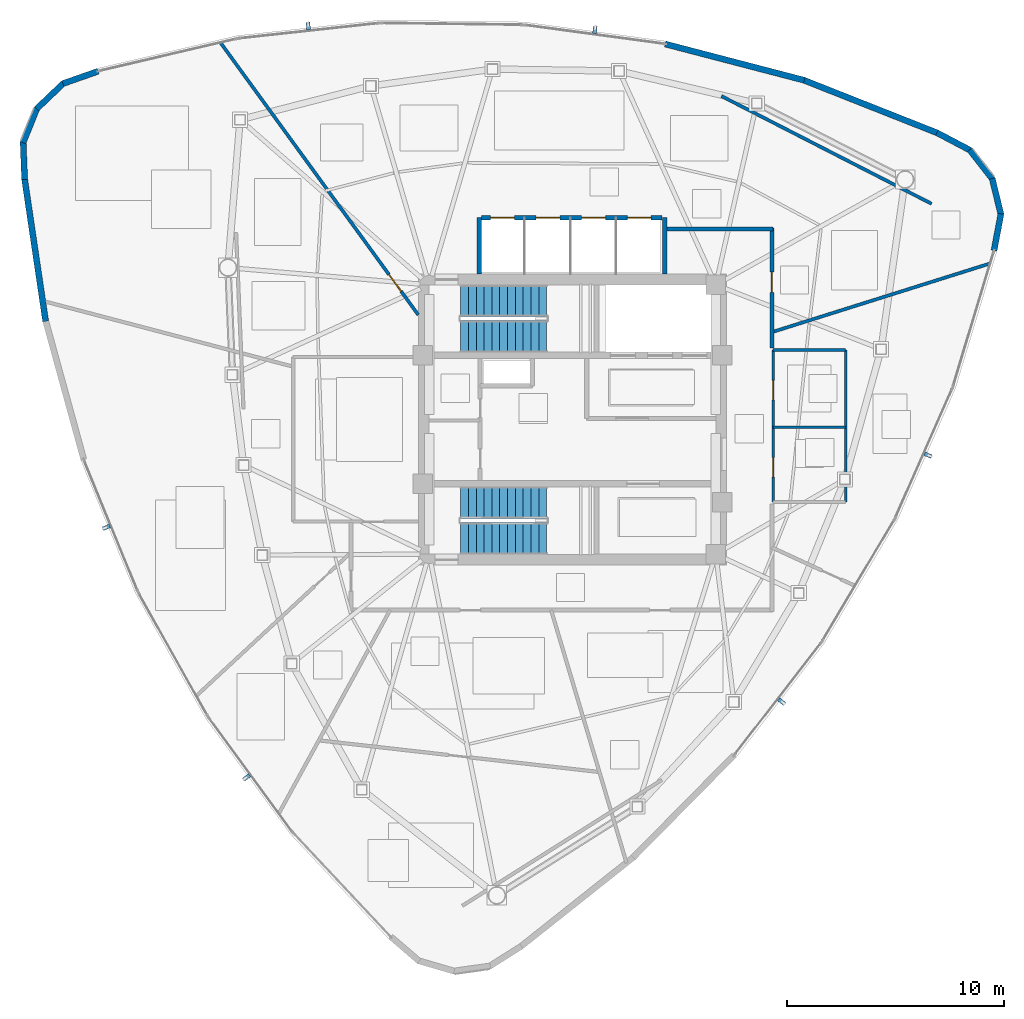
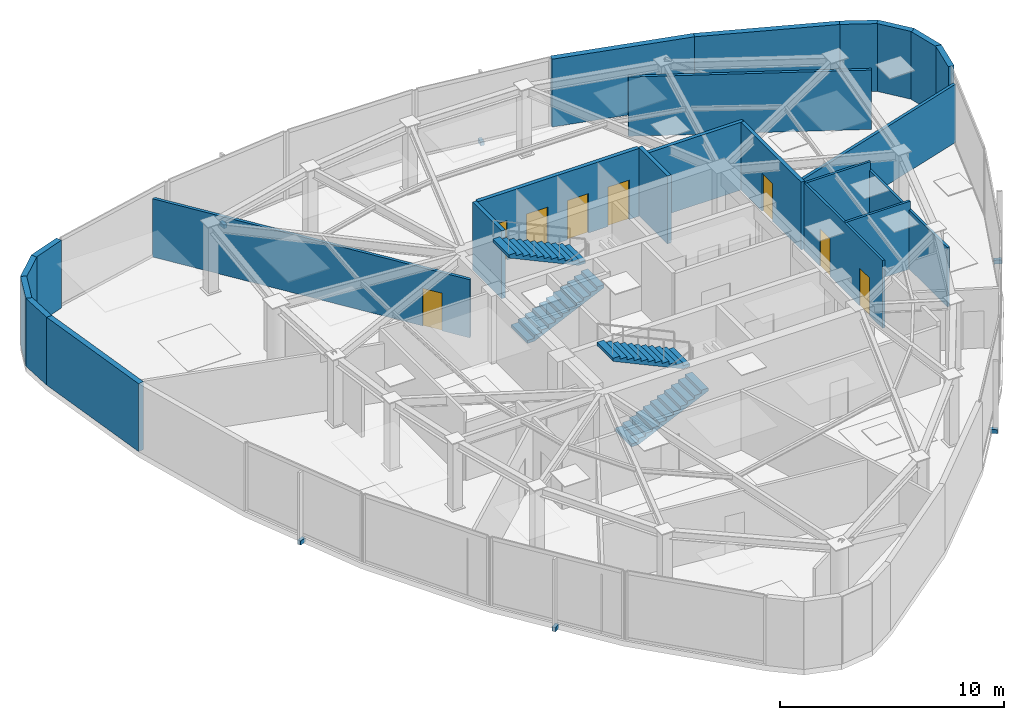
# One storey, part 9 of 12: 23 walls, 8 doors, 6 discrete accessories, 4 stair flights, 8 openings, 2 elements without a shape of their own.
"""IFC4 building model written with IfcOpenShell, lengths in metres."""

from ifc_helpers import new_model, si_unit, direction, frame, frame_2d, origin, origin_2d, place, context, subcontext, project, spatial, polyline, rectangle, outline, extrude, source, transform, mapped, material, layer, layer_set, type_object, type_shapes, element, fill, aggregate, save


model = new_model("IFC4")

# Units and contexts
model_context = context("Model", 3, precision=1e-05, world=origin(), true_north=direction((0.0, 1.0)))
body_context = subcontext(model_context, "Body", "Model", "MODEL_VIEW")
ifc_project = project(units=[si_unit("LENGTHUNIT", "METRE"), si_unit("AREAUNIT", "SQUARE_METRE"), si_unit("VOLUMEUNIT", "CUBIC_METRE"), si_unit("PLANEANGLEUNIT", "RADIAN"), si_unit("MASSUNIT", "GRAM", prefix="KILO")], contexts=[model_context])

# Site, building, storey
site_placement = place(None, origin())
site = spatial("IfcSite", under=ifc_project, at=site_placement, CompositionType="ELEMENT")
building_placement = place(site_placement, origin())
building = spatial("IfcBuilding", under=site, at=building_placement, Name="Tavelor Broadcast Tower", CompositionType="ELEMENT")
storey_placement = place(building_placement, frame((0.0, 0.0, 277.5)))
storey = spatial("IfcBuildingStorey", under=building, at=storey_placement, Name="L66", CompositionType="ELEMENT", Elevation=277.5)

# Wall
ifc_material_1 = material(Name="Calcium Silicate Fire Board 180 mm", Category="gypsum")
ifc_layer_1 = layer(ifc_material_1, 0.179931640625)
ifc_layer_set_1 = layer_set([ifc_layer_1], Name="Calcium Silicate Fire Board 180 mm")
wall_type_1 = type_object("IfcWallType", Name="Fire-Rated Corridor Partition Wall 180 mm", PredefinedType="PARTITIONING", material=ifc_layer_set_1)
wall_1_placement = place(storey_placement, frame((54.300048828125, 53.780029296875, 0.0), z_axis=(0.0, 0.0, 1.0), x_axis=(1.0, 0.0, 0.0)))
element("IfcWall", 1, at=wall_1_placement, inside=storey, type_object=wall_type_1, Name="L66 Corridor Compartment Wall 01", PredefinedType="PARTITIONING", context=body_context, shape_type="SweptSolid", body=[
    extrude(rectangle(XDim=4.929931640625, YDim=0.179931640625, at=frame_2d((2.46484375, 0.0))), origin(), (0.0, 0.0, 1.0), 3.699951171875),
])

# Wall, opening, door
wall_2_placement = place(storey_placement, frame((59.179931640625, 53.830078125, 0.0), z_axis=(0.0, 0.0, 1.0), x_axis=(0.0, -1.0, 0.0)))
wall_2 = element("IfcWall", 2, at=wall_2_placement, inside=storey, type_object=wall_type_1, Name="L66 Corridor Compartment Wall 02", PredefinedType="PARTITIONING", context=body_context, shape_type="SweptSolid", body=[
    extrude(rectangle(XDim=5.530029296875, YDim=0.179931640625, at=frame_2d((2.76513671875, 0.0))), origin(), (0.0, 0.0, 1.0), 3.699951171875),
])
opening_1_placement = place(wall_2_placement, frame((2.027587890625, 0.0, 0.0)))
opening_1 = element("IfcOpeningElement", 3, at=opening_1_placement, cuts=wall_2, Name="Opening DR18", PredefinedType="OPENING", context=body_context, shape_type="SweptSolid", body=[
    extrude(rectangle(XDim=0.949951171875, YDim=2.050048828125, at=frame_2d((0.47509765625, 1.02490234375))), frame((0.0, 0.10009765625, 0.0), z_axis=(0.0, -1.0, 0.0), x_axis=(1.0, 0.0, 0.0)), (0.0, 0.0, 1.0), 0.199951171875),
])
ifc_material_2 = material(Name="Timber Solid Core Hardwood", Category="wood")
door_type_1 = type_object("IfcDoorType", Name="Corridor Rated Compartment Door 950x2050", OperationType="NOTDEFINED", PredefinedType="DOOR", material=ifc_material_2)
door_1_placement = place(opening_1_placement, origin())
door_1 = element("IfcDoor", 4, at=door_1_placement, inside=storey, type_object=door_type_1, Name="L66 Press Concierge Desk Door R6", OperationType="SINGLE_SWING_RIGHT", OverallHeight=2.050048828125, OverallWidth=0.949951171875, PredefinedType="DOOR", context=body_context, shape_type="SweptSolid", body=[
    extrude(rectangle(XDim=0.949951171875, YDim=2.050048828125, at=frame_2d((0.47509765625, 1.02490234375))), frame((0.0, 0.02490234375, 0.0), z_axis=(0.0, -1.0, 0.0), x_axis=(1.0, 0.0, 0.0)), (0.0, 0.0, 1.0), 0.050048828125),
])
fill(opening_1, door_1)

# Walls
ifc_material_3 = material(Name="Precast Concrete C40/50", Category="concrete")
ifc_layer_2 = layer(ifc_material_3, 0.280029296875)
ifc_layer_set_2 = layer_set([ifc_layer_2], Name="Precast Concrete C40/50")
wall_type_2 = type_object("IfcWallType", Name="Insulated Precast Terracotta Facade Wall 280 mm", PredefinedType="STANDARD", material=ifc_layer_set_2)
wall_3_placement = place(storey_placement, frame((28.154052734375, 61.040771484375, 0.0), z_axis=(0.0, 0.0, 1.0), x_axis=(-0.943536926646, -0.331267366421, 0.0)))
element("IfcWall", 5, at=wall_3_placement, inside=storey, type_object=wall_type_2, Name="L66 Rounded Corner Structural Cladding Pier 01", PredefinedType="STANDARD", context=body_context, shape_type="SweptSolid", body=[
    extrude(rectangle(XDim=1.719482421875, YDim=0.280029296875, at=frame_2d((0.85986328125, 0.0))), origin(), (0.0, 0.0, 1.0), 3.699951171875),
])
wall_4_placement = place(storey_placement, frame((26.556884765625, 60.486328125, 0.0), z_axis=(0.0, 0.0, 1.0), x_axis=(-0.723634593629, -0.690183290802, 0.0)))
element("IfcWall", 6, at=wall_4_placement, inside=storey, type_object=wall_type_2, Name="L66 Rounded Corner Structural Cladding Pier 02", PredefinedType="STANDARD", context=body_context, shape_type="SweptSolid", body=[
    extrude(rectangle(XDim=1.707763671875, YDim=0.280029296875, at=frame_2d((0.85400390625, 0.0))), origin(), (0.0, 0.0, 1.0), 3.699951171875),
])
wall_5_placement = place(storey_placement, frame((25.33740234375, 59.331787109375, 0.0), z_axis=(0.0, 0.0, 1.0), x_axis=(-0.37537991163, -0.926871038465, 0.0)))
element("IfcWall", 7, at=wall_5_placement, inside=storey, type_object=wall_type_2, Name="L66 Rounded Corner Structural Cladding Pier 03", PredefinedType="STANDARD", context=body_context, shape_type="SweptSolid", body=[
    extrude(rectangle(XDim=1.7080078125, YDim=0.280029296875, at=frame_2d((0.85400390625, 0.0))), origin(), (0.0, 0.0, 1.0), 3.699951171875),
])
wall_6_placement = place(storey_placement, frame((24.701416015625, 57.77783203125, 0.0), z_axis=(0.0, 0.0, 1.0), x_axis=(0.039218709703, -0.999230650455, 0.0)))
element("IfcWall", 8, at=wall_6_placement, inside=storey, type_object=wall_type_2, Name="L66 Rounded Corner Structural Cladding Pier 04", PredefinedType="STANDARD", context=body_context, shape_type="SweptSolid", body=[
    extrude(rectangle(XDim=1.73046875, YDim=0.280029296875, at=frame_2d((0.865234375, 0.0))), origin(), (0.0, 0.0, 1.0), 3.699951171875),
])
wall_7_placement = place(storey_placement, frame((24.7666015625, 56.078369140625, 0.0), z_axis=(0.0, 0.0, 1.0), x_axis=(0.146487270412, -0.989212555322, 0.0)))
element("IfcWall", 9, at=wall_7_placement, inside=storey, type_object=wall_type_2, Name="L66 Rounded Corner Structural Cladding Pier 05", PredefinedType="STANDARD", context=body_context, shape_type="SweptSolid", body=[
    extrude(rectangle(XDim=6.6298828125, YDim=0.280029296875, at=frame_2d((3.31494140625, 0.0))), origin(), (0.0, 0.0, 1.0), 3.699951171875),
])
wall_8_placement = place(storey_placement, frame((69.414794921875, 52.781005859375, 0.0), z_axis=(0.0, 0.0, 1.0), x_axis=(0.184717139084, 0.982791726933, 0.0)))
element("IfcWall", 10, at=wall_8_placement, inside=storey, type_object=wall_type_2, Name="L66 Rounded Corner Structural Cladding Pier 21", PredefinedType="STANDARD", context=body_context, shape_type="SweptSolid", body=[
    extrude(rectangle(XDim=1.719482421875, YDim=0.280029296875, at=frame_2d((0.85986328125, 0.0))), origin(), (0.0, 0.0, 1.0), 3.699951171875),
])
wall_9_placement = place(storey_placement, frame((69.733154296875, 54.441650390625, 0.0), z_axis=(0.0, 0.0, 1.0), x_axis=(-0.236037829125, 0.971743867087, 0.0)))
element("IfcWall", 11, at=wall_9_placement, inside=storey, type_object=wall_type_2, Name="L66 Rounded Corner Structural Cladding Pier 22", PredefinedType="STANDARD", context=body_context, shape_type="SweptSolid", body=[
    extrude(rectangle(XDim=1.707763671875, YDim=0.280029296875, at=frame_2d((0.85400390625, 0.0))), origin(), (0.0, 0.0, 1.0), 3.699951171875),
])
wall_10_placement = place(storey_placement, frame((69.343017578125, 56.07470703125, 0.0), z_axis=(0.0, 0.0, 1.0), x_axis=(-0.61507801106, 0.788466258194, 0.0)))
element("IfcWall", 12, at=wall_10_placement, inside=storey, type_object=wall_type_2, Name="L66 Rounded Corner Structural Cladding Pier 23", PredefinedType="STANDARD", context=body_context, shape_type="SweptSolid", body=[
    extrude(rectangle(XDim=1.7080078125, YDim=0.280029296875, at=frame_2d((0.85400390625, 0.0))), origin(), (0.0, 0.0, 1.0), 3.699951171875),
])
wall_11_placement = place(storey_placement, frame((68.315185546875, 57.402587890625, 0.0), z_axis=(0.0, 0.0, 1.0), x_axis=(-0.884951881777, 0.465682474374, 0.0)))
element("IfcWall", 13, at=wall_11_placement, inside=storey, type_object=wall_type_2, Name="L66 Rounded Corner Structural Cladding Pier 24", PredefinedType="STANDARD", context=body_context, shape_type="SweptSolid", body=[
    extrude(rectangle(XDim=1.730712890625, YDim=0.280029296875, at=frame_2d((0.865234375, 0.0))), origin(), (0.0, 0.0, 1.0), 3.699951171875),
])
wall_12_placement = place(storey_placement, frame((66.810791015625, 58.196044921875, 0.0), z_axis=(0.0, 0.0, 1.0), x_axis=(-0.929927335344, 0.367743322143, 0.0)))
element("IfcWall", 14, at=wall_12_placement, inside=storey, type_object=wall_type_2, Name="L66 Rounded Corner Structural Cladding Pier 25", PredefinedType="STANDARD", context=body_context, shape_type="SweptSolid", body=[
    extrude(rectangle(XDim=6.629638671875, YDim=0.280029296875, at=frame_2d((3.31494140625, 0.0))), origin(), (0.0, 0.0, 1.0), 3.699951171875),
])
wall_13_placement = place(storey_placement, frame((60.674072265625, 60.624755859375, 0.0), z_axis=(0.0, 0.0, 1.0), x_axis=(-0.967600032168, 0.252487975452, 0.0)))
element("IfcWall", 15, at=wall_13_placement, inside=storey, type_object=wall_type_2, Name="L66 Rounded Corner Structural Cladding Pier 26", PredefinedType="STANDARD", context=body_context, shape_type="SweptSolid", body=[
    extrude(rectangle(XDim=6.61767578125, YDim=0.280029296875, at=frame_2d((3.308837890625, 0.0))), origin(), (0.0, 0.0, 1.0), 3.699951171875),
])
ifc_material_4 = material(Name="Gypsum Acoustic Plasterboard 150 mm", Category="gypsum")
ifc_layer_3 = layer(ifc_material_4, 0.14990234375)
ifc_layer_set_3 = layer_set([ifc_layer_3], Name="Gypsum Acoustic Plasterboard 150 mm")
wall_type_3 = type_object("IfcWallType", Name="Interior Acoustic Partition Wall 150 mm", PredefinedType="PARTITIONING", material=ifc_layer_set_3)
wall_14_placement = place(storey_placement, frame((66.542724609375, 54.934326171875, 0.0), z_axis=(0.0, 0.0, 1.0), x_axis=(-0.889966951661, 0.456025026673, 0.0)))
element("IfcWall", 16, at=wall_14_placement, inside=storey, type_object=wall_type_3, Name="L66 Corner Tube Brace Furring Wall 3", PredefinedType="PARTITIONING", context=body_context, shape_type="SweptSolid", body=[
    extrude(rectangle(XDim=10.878662109375, YDim=0.14990234375, at=frame_2d((5.439453125, 0.0))), origin(), (0.0, 0.0, 1.0), 3.235107421875),
])

# Wall, opening, door
wall_15_placement = place(storey_placement, frame((42.89990234375, 49.8173828125, 0.0), z_axis=(0.0, 0.0, 1.0), x_axis=(-0.587773939709, 0.809025213327, 0.0)))
wall_15 = element("IfcWall", 17, at=wall_15_placement, inside=storey, type_object=wall_type_3, Name="L66 Radial Compartment Wall 01", PredefinedType="PARTITIONING", context=body_context, shape_type="SweptSolid", body=[
    extrude(rectangle(XDim=15.513427734375, YDim=0.14990234375, at=frame_2d((7.7568359375, 0.0))), origin(), (0.0, 0.0, 1.0), 3.175048828125),
])
opening_2_placement = place(wall_15_placement, frame((1.35009765625, 0.0, 0.0)))
opening_2 = element("IfcOpeningElement", 18, at=opening_2_placement, cuts=wall_15, Name="Opening DR18", PredefinedType="OPENING", context=body_context, shape_type="SweptSolid", body=[
    extrude(rectangle(XDim=0.949951171875, YDim=2.050048828125, at=frame_2d((0.47509765625, 1.02490234375))), frame((0.0, 0.0849609375, 0.0), z_axis=(0.0, -1.0, 0.0), x_axis=(1.0, 0.0, 0.0)), (0.0, 0.0, 1.0), 0.169921875),
])
door_2_placement = place(opening_2_placement, origin())
door_2 = element("IfcDoor", 19, at=door_2_placement, inside=storey, type_object=door_type_1, Name="L66 Suite Connecting Door 5", OperationType="SINGLE_SWING_RIGHT", OverallHeight=2.050048828125, OverallWidth=0.949951171875, PredefinedType="DOOR", context=body_context, shape_type="SweptSolid", body=[
    extrude(rectangle(XDim=0.949951171875, YDim=2.050048828125, at=frame_2d((0.47509765625, 1.02490234375))), frame((0.0, 0.02490234375, 0.0), z_axis=(0.0, -1.0, 0.0), x_axis=(1.0, 0.0, 0.0)), (0.0, 0.0, 1.0), 0.050048828125),
])
fill(opening_2, door_2)

# Wall
wall_16_placement = place(storey_placement, frame((59.179931640625, 49.02294921875, 0.0), z_axis=(0.0, 0.0, 1.0), x_axis=(0.953860906962, 0.300248847075, 0.0)))
element("IfcWall", 20, at=wall_16_placement, inside=storey, type_object=wall_type_3, Name="L66 Radial Compartment Wall 07", PredefinedType="PARTITIONING", context=body_context, shape_type="SweptSolid", body=[
    extrude(rectangle(XDim=10.553466796875, YDim=0.14990234375, at=frame_2d((5.27685546875, 0.0))), origin(), (0.0, 0.0, 1.0), 3.175048828125),
])

# Wall, openings, doors
ifc_material_5 = material(Name="Concrete Blockwork 200 mm", Category="masonry")
ifc_layer_4 = layer(ifc_material_5, 0.199951171875)
ifc_layer_set_4 = layer_set([ifc_layer_4], Name="Concrete Blockwork 200 mm")
wall_type_4 = type_object("IfcWallType", Name="Lift Hoistway Rated Front Wall 200 mm", PredefinedType="PARTITIONING", material=ifc_layer_set_4)
wall_17_placement = place(storey_placement, frame((45.820068359375, 54.300048828125, 0.0), z_axis=(0.0, 0.0, 1.0), x_axis=(1.0, 0.0, 0.0)))
wall_17 = element("IfcWall", 21, at=wall_17_placement, inside=storey, type_object=wall_type_4, Name="L66 High-Rise Lift Hoistway Front Wall", PredefinedType="PARTITIONING", context=body_context, shape_type="SweptSolid", body=[
    extrude(rectangle(XDim=8.309814453125, YDim=0.199951171875, at=frame_2d((4.15478515625, 0.0))), origin(), (0.0, 0.0, 1.0), 3.699951171875),
])
opening_3_placement = place(wall_17_placement, frame((0.405029296875, 0.0, 0.0)))
opening_3 = element("IfcOpeningElement", 22, at=opening_3_placement, cuts=wall_17, Name="Opening LD01", PredefinedType="OPENING", context=body_context, shape_type="SweptSolid", body=[
    extrude(rectangle(XDim=1.10009765625, YDim=2.14990234375, at=frame_2d((0.550048828125, 1.074951171875))), frame((0.0, 0.10986328125, 0.0), z_axis=(0.0, -1.0, 0.0), x_axis=(1.0, 0.0, 0.0)), (0.0, 0.0, 1.0), 0.219970703125),
])
opening_4_placement = place(wall_17_placement, frame((2.5048828125, 0.0, 0.0)))
opening_4 = element("IfcOpeningElement", 23, at=opening_4_placement, cuts=wall_17, Name="Opening LD01", PredefinedType="OPENING", context=body_context, shape_type="SweptSolid", body=[
    extrude(rectangle(XDim=1.10009765625, YDim=2.14990234375, at=frame_2d((0.550048828125, 1.074951171875))), frame((0.0, 0.10986328125, 0.0), z_axis=(0.0, -1.0, 0.0), x_axis=(1.0, 0.0, 0.0)), (0.0, 0.0, 1.0), 0.219970703125),
])
opening_5_placement = place(wall_17_placement, frame((4.60498046875, 0.0, 0.0)))
opening_5 = element("IfcOpeningElement", 24, at=opening_5_placement, cuts=wall_17, Name="Opening LD01", PredefinedType="OPENING", context=body_context, shape_type="SweptSolid", body=[
    extrude(rectangle(XDim=1.10009765625, YDim=2.14990234375, at=frame_2d((0.550048828125, 1.074951171875))), frame((0.0, 0.10986328125, 0.0), z_axis=(0.0, -1.0, 0.0), x_axis=(1.0, 0.0, 0.0)), (0.0, 0.0, 1.0), 0.219970703125),
])
opening_6_placement = place(wall_17_placement, frame((6.705078125, 0.0, 0.0)))
opening_6 = element("IfcOpeningElement", 25, at=opening_6_placement, cuts=wall_17, Name="Opening LD01", PredefinedType="OPENING", context=body_context, shape_type="SweptSolid", body=[
    extrude(rectangle(XDim=1.10009765625, YDim=2.14990234375, at=frame_2d((0.550048828125, 1.074951171875))), frame((0.0, 0.10986328125, 0.0), z_axis=(0.0, -1.0, 0.0), x_axis=(1.0, 0.0, 0.0)), (0.0, 0.0, 1.0), 0.219970703125),
])
ifc_material_6 = material(Name="Brushed Stainless Steel", Category="steel")
door_type_2 = type_object("IfcDoorType", Name="Passenger Lift Sliding Landing Door 1100x2150", OperationType="NOTDEFINED", PredefinedType="DOOR", material=ifc_material_6)
door_3_placement = place(opening_3_placement, origin())
door_3 = element("IfcDoor", 26, at=door_3_placement, inside=storey, type_object=door_type_2, Name="L66 Lift PLH1 Sliding Landing Door", OperationType="SLIDING_TO_LEFT", OverallHeight=2.14990234375, OverallWidth=1.10009765625, PredefinedType="DOOR", context=body_context, shape_type="SweptSolid", body=[
    extrude(rectangle(XDim=1.10009765625, YDim=2.14990234375, at=frame_2d((0.550048828125, 1.074951171875))), frame((0.0, 0.02490234375, 0.0), z_axis=(0.0, -1.0, 0.0), x_axis=(1.0, 0.0, 0.0)), (0.0, 0.0, 1.0), 0.050048828125),
])
fill(opening_3, door_3)
door_4_placement = place(opening_4_placement, origin())
door_4 = element("IfcDoor", 27, at=door_4_placement, inside=storey, type_object=door_type_2, Name="L66 Lift PLH2 Sliding Landing Door", OperationType="SLIDING_TO_RIGHT", OverallHeight=2.14990234375, OverallWidth=1.10009765625, PredefinedType="DOOR", context=body_context, shape_type="SweptSolid", body=[
    extrude(rectangle(XDim=1.10009765625, YDim=2.14990234375, at=frame_2d((0.550048828125, 1.074951171875))), frame((0.0, 0.02490234375, 0.0), z_axis=(0.0, -1.0, 0.0), x_axis=(1.0, 0.0, 0.0)), (0.0, 0.0, 1.0), 0.050048828125),
])
fill(opening_4, door_4)
door_5_placement = place(opening_5_placement, origin())
door_5 = element("IfcDoor", 28, at=door_5_placement, inside=storey, type_object=door_type_2, Name="L66 Lift PLH3 Sliding Landing Door", OperationType="SLIDING_TO_LEFT", OverallHeight=2.14990234375, OverallWidth=1.10009765625, PredefinedType="DOOR", context=body_context, shape_type="SweptSolid", body=[
    extrude(rectangle(XDim=1.10009765625, YDim=2.14990234375, at=frame_2d((0.550048828125, 1.074951171875))), frame((0.0, 0.02490234375, 0.0), z_axis=(0.0, -1.0, 0.0), x_axis=(1.0, 0.0, 0.0)), (0.0, 0.0, 1.0), 0.050048828125),
])
fill(opening_5, door_5)
door_6_placement = place(opening_6_placement, origin())
door_6 = element("IfcDoor", 29, at=door_6_placement, inside=storey, type_object=door_type_2, Name="L66 Lift PLH4 Sliding Landing Door", OperationType="SLIDING_TO_RIGHT", OverallHeight=2.14990234375, OverallWidth=1.10009765625, PredefinedType="DOOR", context=body_context, shape_type="SweptSolid", body=[
    extrude(rectangle(XDim=1.10009765625, YDim=2.14990234375, at=frame_2d((0.550048828125, 1.074951171875))), frame((0.0, 0.02490234375, 0.0), z_axis=(0.0, -1.0, 0.0), x_axis=(1.0, 0.0, 0.0)), (0.0, 0.0, 1.0), 0.050048828125),
])
fill(opening_6, door_6)

# Walls
ifc_layer_5 = layer(ifc_material_5, 0.199951171875)
ifc_layer_set_5 = layer_set([ifc_layer_5], Name="Concrete Blockwork 200 mm")
wall_type_5 = type_object("IfcWallType", Name="Lift and Riser Shaft Enclosure Wall 200 mm", PredefinedType="PARTITIONING", material=ifc_layer_set_5)
for number, where, z_axis, x_axis, name in (
    (30, (45.699951171875, 51.699951171875, 0.0), (0.0, 0.0, 1.0), (0.0, 1.0, 0.0), "L66 High-Rise Lift Shaft West Wall"),
    (31, (54.25, 51.699951171875, 0.0), (0.0, 0.0, 1.0), (0.0, 1.0, 0.0), "L66 High-Rise Lift Shaft East Wall"),
):
    element("IfcWall", number, at=place(storey_placement, frame(where, z_axis=z_axis, x_axis=x_axis)), inside=storey, type_object=wall_type_5, Name=name, PredefinedType="PARTITIONING", context=body_context, shape_type="SweptSolid", body=[
        extrude(rectangle(XDim=2.60009765625, YDim=0.199951171875, at=frame_2d((1.300048828125, 0.0))), origin(), (0.0, 0.0, 1.0), 3.699951171875),
    ])

# Wall, openings, doors
ifc_material_7 = material(Name="Moisture-Resistant Plasterboard 120 mm", Category="gypsum")
ifc_layer_6 = layer(ifc_material_7, 0.1201171875)
ifc_layer_set_6 = layer_set([ifc_layer_6], Name="Moisture-Resistant Plasterboard 120 mm")
wall_type_6 = type_object("IfcWallType", Name="Moisture-Resistant Wet-Room Partition 120 mm", PredefinedType="PARTITIONING", material=ifc_layer_set_6)
wall_18_placement = place(storey_placement, frame((59.239990234375, 41.199951171875, 0.0), z_axis=(0.0, 0.0, 1.0), x_axis=(0.0, 1.0, 0.0)))
wall_18 = element("IfcWall", 32, at=wall_18_placement, inside=storey, type_object=wall_type_6, Name="L66 Floor Washrooms West Wall", PredefinedType="PARTITIONING", context=body_context, shape_type="SweptSolid", body=[
    extrude(rectangle(XDim=7.0, YDim=0.1201171875, at=frame_2d((3.5, 0.0))), origin(), (0.0, 0.0, 1.0), 3.699951171875),
])
opening_7_placement = place(wall_18_placement, frame((1.14990234375, 0.0, 0.0)))
opening_7 = element("IfcOpeningElement", 33, at=opening_7_placement, cuts=wall_18, Name="Opening DR32", PredefinedType="OPENING", context=body_context, shape_type="SweptSolid", body=[
    extrude(rectangle(XDim=0.89990234375, YDim=2.050048828125, at=frame_2d((0.449951171875, 1.02490234375))), frame((0.0, 0.070068359375, 0.0), z_axis=(0.0, -1.0, 0.0), x_axis=(1.0, 0.0, 0.0)), (0.0, 0.0, 1.0), 0.14013671875),
])
opening_8_placement = place(wall_18_placement, frame((4.699951171875, 0.0, 0.0)))
opening_8 = element("IfcOpeningElement", 34, at=opening_8_placement, cuts=wall_18, Name="Opening DR32", PredefinedType="OPENING", context=body_context, shape_type="SweptSolid", body=[
    extrude(rectangle(XDim=0.89990234375, YDim=2.050048828125, at=frame_2d((0.449951171875, 1.02490234375))), frame((0.0, 0.070068359375, 0.0), z_axis=(0.0, -1.0, 0.0), x_axis=(1.0, 0.0, 0.0)), (0.0, 0.0, 1.0), 0.14013671875),
])
door_type_3 = type_object("IfcDoorType", Name="Accessible Washroom Door 900x2050", OperationType="NOTDEFINED", PredefinedType="DOOR", material=ifc_material_2)
door_7_placement = place(opening_7_placement, origin())
door_7 = element("IfcDoor", 35, at=door_7_placement, inside=storey, type_object=door_type_3, Name="L66 Accessible WC Door", OperationType="SINGLE_SWING_LEFT", OverallHeight=2.050048828125, OverallWidth=0.89990234375, PredefinedType="DOOR", context=body_context, shape_type="SweptSolid", body=[
    extrude(rectangle(XDim=0.89990234375, YDim=2.050048828125, at=frame_2d((0.449951171875, 1.02490234375))), frame((0.0, 0.02490234375, 0.0), z_axis=(0.0, -1.0, 0.0), x_axis=(1.0, 0.0, 0.0)), (0.0, 0.0, 1.0), 0.050048828125),
])
fill(opening_7, door_7)
door_8_placement = place(opening_8_placement, origin())
door_8 = element("IfcDoor", 36, at=door_8_placement, inside=storey, type_object=door_type_3, Name="L66 Staff Washroom WC Door", OperationType="SINGLE_SWING_RIGHT", OverallHeight=2.050048828125, OverallWidth=0.89990234375, PredefinedType="DOOR", context=body_context, shape_type="SweptSolid", body=[
    extrude(rectangle(XDim=0.89990234375, YDim=2.050048828125, at=frame_2d((0.449951171875, 1.02490234375))), frame((0.0, 0.02490234375, 0.0), z_axis=(0.0, -1.0, 0.0), x_axis=(1.0, 0.0, 0.0)), (0.0, 0.0, 1.0), 0.050048828125),
])
fill(opening_8, door_8)

# Walls
for number, where, z_axis, x_axis, name in (
    (37, (59.239990234375, 44.64990234375, 0.0), (0.0, 0.0, 1.0), (1.0, 0.0, 0.0), "L66 Floor Washrooms Divider Wall"),
    (38, (59.239990234375, 48.199951171875, 0.0), (0.0, 0.0, 1.0), (1.0, 0.0, 0.0), "L66 Floor Washrooms North Wall"),
):
    element("IfcWall", number, at=place(storey_placement, frame(where, z_axis=z_axis, x_axis=x_axis)), inside=storey, type_object=wall_type_6, Name=name, PredefinedType="PARTITIONING", context=body_context, shape_type="SweptSolid", body=[
        extrude(rectangle(XDim=3.340087890625, YDim=0.1201171875, at=frame_2d((1.669921875, 0.0))), origin(), (0.0, 0.0, 1.0), 3.699951171875),
    ])
wall_19_placement = place(storey_placement, frame((62.580078125, 41.199951171875, 0.0), z_axis=(0.0, 0.0, 1.0), x_axis=(0.0, 1.0, 0.0)))
element("IfcWall", 39, at=wall_19_placement, inside=storey, type_object=wall_type_6, Name="L66 Floor Washrooms East Wall", PredefinedType="PARTITIONING", context=body_context, shape_type="SweptSolid", body=[
    extrude(rectangle(XDim=7.0, YDim=0.1201171875, at=frame_2d((3.5, 0.0))), origin(), (0.0, 0.0, 1.0), 3.235107421875),
])

# Stair, stair flights
ifc_material_8 = material(Name="Concrete C40/50", Category="concrete")
stair_type = type_object("IfcStairType", Name="Reinforced Concrete Protected Dogleg Stair 1450 mm", PredefinedType="HALF_TURN_STAIR", material=ifc_material_8)
stair_1_placement = place(storey_placement, origin())
stair_1 = element("IfcStair", 40, at=stair_1_placement, inside=storey, type_object=stair_type, Name="L66 Protected Core Exit Stair ST1", PredefinedType="HALF_TURN_STAIR")
stair_flight_type = type_object("IfcStairFlightType", Name="Reinforced Concrete Stair Flight 1450 mm", PredefinedType="STRAIGHT", material=ifc_material_8)
stair_flight_1_placement = place(storey_placement, frame((44.85009765625, 48.824951171875, 0.0), z_axis=(0.0, 0.0, 1.0), x_axis=(1.0, 0.0, 0.0)))
stair_flight_1 = element("IfcStairFlight", 41, at=stair_flight_1_placement, type_object=stair_flight_type, Name="ST1 flight 1", NumberOfRisers=12, NumberOfTreads=11, PredefinedType="STRAIGHT", RiserHeight=0.166666667, TreadLength=0.36, context=body_context, shape_type="SweptSolid", body=[
    extrude(outline(polyline([(0.0, 0.0), (0.0, 0.166748046875), (0.360107421875, 0.166748046875), (0.360107421875, 0.333251953125), (0.719970703125, 0.333251953125), (0.719970703125, 0.5), (1.080078125, 0.5), (1.080078125, 0.666748046875), (1.43994140625, 0.666748046875), (1.43994140625, 0.833251953125), (1.800048828125, 0.833251953125), (1.800048828125, 1.0), (2.159912109375, 1.0), (2.159912109375, 1.166748046875), (2.52001953125, 1.166748046875), (2.52001953125, 1.333251953125), (2.8798828125, 1.333251953125), (2.8798828125, 1.5), (3.239990234375, 1.5), (3.239990234375, 1.666748046875), (3.60009765625, 1.666748046875), (3.60009765625, 1.833251953125), (3.9599609375, 1.833251953125), (3.9599609375, 2.0), (3.9599609375, 1.668212890625), (0.356689453125, 0.0), (0.0, 0.0)])), frame((0.0, 0.72509765625, 0.0), z_axis=(0.0, -1.0, 0.0), x_axis=(1.0, 0.0, 0.0)), (0.0, 0.0, 1.0), 1.449951171875),
])
stair_flight_2_placement = place(storey_placement, frame((48.81005859375, 50.47509765625, 2.0), z_axis=(0.0, 0.0, 1.0), x_axis=(-1.0, 0.0, 0.0)))
stair_flight_2 = element("IfcStairFlight", 42, at=stair_flight_2_placement, type_object=stair_flight_type, Name="ST1 flight 2", NumberOfRisers=12, NumberOfTreads=11, PredefinedType="STRAIGHT", RiserHeight=0.166666667, TreadLength=0.36, context=body_context, shape_type="SweptSolid", body=[
    extrude(outline(polyline([(0.0, 0.0), (0.0, 0.166748046875), (0.360107421875, 0.166748046875), (0.360107421875, 0.333251953125), (0.719970703125, 0.333251953125), (0.719970703125, 0.5), (1.080078125, 0.5), (1.080078125, 0.666748046875), (1.43994140625, 0.666748046875), (1.43994140625, 0.833251953125), (1.800048828125, 0.833251953125), (1.800048828125, 1.0), (2.159912109375, 1.0), (2.159912109375, 1.166748046875), (2.52001953125, 1.166748046875), (2.52001953125, 1.333251953125), (2.8798828125, 1.333251953125), (2.8798828125, 1.5), (3.239990234375, 1.5), (3.239990234375, 1.666748046875), (3.60009765625, 1.666748046875), (3.60009765625, 1.833251953125), (3.9599609375, 1.833251953125), (3.9599609375, 2.0), (3.9599609375, 1.668212890625), (0.356689453125, 0.0), (0.0, 0.0)])), frame((0.0, 0.72509765625, 0.0), z_axis=(0.0, -1.0, 0.0), x_axis=(1.0, 0.0, 0.0)), (0.0, 0.0, 1.0), 1.449951171875),
])
aggregate(stair_1, [stair_flight_1, stair_flight_2])

stair_2_placement = place(storey_placement, origin())
stair_2 = element("IfcStair", 43, at=stair_2_placement, inside=storey, type_object=stair_type, Name="L66 Protected Core Exit Stair ST2", PredefinedType="HALF_TURN_STAIR")
stair_flight_3_placement = place(storey_placement, frame((44.85009765625, 39.52490234375, 0.0), z_axis=(0.0, 0.0, 1.0), x_axis=(1.0, 0.0, 0.0)))
stair_flight_3 = element("IfcStairFlight", 44, at=stair_flight_3_placement, type_object=stair_flight_type, Name="ST2 flight 1", NumberOfRisers=12, NumberOfTreads=11, PredefinedType="STRAIGHT", RiserHeight=0.166666667, TreadLength=0.36, context=body_context, shape_type="SweptSolid", body=[
    extrude(outline(polyline([(0.0, 0.0), (0.0, 0.166748046875), (0.360107421875, 0.166748046875), (0.360107421875, 0.333251953125), (0.719970703125, 0.333251953125), (0.719970703125, 0.5), (1.080078125, 0.5), (1.080078125, 0.666748046875), (1.43994140625, 0.666748046875), (1.43994140625, 0.833251953125), (1.800048828125, 0.833251953125), (1.800048828125, 1.0), (2.159912109375, 1.0), (2.159912109375, 1.166748046875), (2.52001953125, 1.166748046875), (2.52001953125, 1.333251953125), (2.8798828125, 1.333251953125), (2.8798828125, 1.5), (3.239990234375, 1.5), (3.239990234375, 1.666748046875), (3.60009765625, 1.666748046875), (3.60009765625, 1.833251953125), (3.9599609375, 1.833251953125), (3.9599609375, 2.0), (3.9599609375, 1.668212890625), (0.356689453125, 0.0), (0.0, 0.0)])), frame((0.0, 0.72509765625, 0.0), z_axis=(0.0, -1.0, 0.0), x_axis=(1.0, 0.0, 0.0)), (0.0, 0.0, 1.0), 1.449951171875),
])
stair_flight_4_placement = place(storey_placement, frame((48.81005859375, 41.175048828125, 2.0), z_axis=(0.0, 0.0, 1.0), x_axis=(-1.0, 0.0, 0.0)))
stair_flight_4 = element("IfcStairFlight", 45, at=stair_flight_4_placement, type_object=stair_flight_type, Name="ST2 flight 2", NumberOfRisers=12, NumberOfTreads=11, PredefinedType="STRAIGHT", RiserHeight=0.166666667, TreadLength=0.36, context=body_context, shape_type="SweptSolid", body=[
    extrude(outline(polyline([(0.0, 0.0), (0.0, 0.166748046875), (0.360107421875, 0.166748046875), (0.360107421875, 0.333251953125), (0.719970703125, 0.333251953125), (0.719970703125, 0.5), (1.080078125, 0.5), (1.080078125, 0.666748046875), (1.43994140625, 0.666748046875), (1.43994140625, 0.833251953125), (1.800048828125, 0.833251953125), (1.800048828125, 1.0), (2.159912109375, 1.0), (2.159912109375, 1.166748046875), (2.52001953125, 1.166748046875), (2.52001953125, 1.333251953125), (2.8798828125, 1.333251953125), (2.8798828125, 1.5), (3.239990234375, 1.5), (3.239990234375, 1.666748046875), (3.60009765625, 1.666748046875), (3.60009765625, 1.833251953125), (3.9599609375, 1.833251953125), (3.9599609375, 2.0), (3.9599609375, 1.668212890625), (0.356689453125, 0.0), (0.0, 0.0)])), frame((0.0, 0.72509765625, 0.0), z_axis=(0.0, -1.0, 0.0), x_axis=(1.0, 0.0, 0.0)), (0.0, 0.0, 1.0), 1.449951171875),
])
aggregate(stair_2, [stair_flight_3, stair_flight_4])

# Discrete accessories
ifc_material_9 = material(Name="Steel S355", Category="steel")
discrete_accessory_type = type_object("IfcDiscreteAccessoryType", Name="Stainless Baguette Outrigger Support Bracket 260x180", PredefinedType="BRACKET", material=ifc_material_9)
shared_shape = source(origin(), body_context, "Body", "SweptSolid", [
    extrude(rectangle(XDim=0.179931640625, YDim=0.340087890625, at=origin_2d()), origin(), (0.0, 0.0, 1.0), 0.216064453125),
])
type_shapes(discrete_accessory_type, [shared_shape])
for number, where, z_axis, x_axis, name in (
    (46, (28.534912109375, 40.03662109375, -0.2578125), (0.0, 0.0, 1.0), (0.379779095522, -0.925077206834, 0.0), "L66 Baguette Outrigger Bracket 667"),
    (47, (34.990966796875, 28.52001953125, -0.2578125), (0.0, 0.0, 1.0), (0.591028110073, -0.806650961137, 0.0), "L66 Baguette Outrigger Bracket 668"),
    (48, (59.631103515625, 32.010009765625, -0.2578125), (0.0, 0.0, 1.0), (0.61125081382, 0.791436947965, 0.0), "L66 Baguette Outrigger Bracket 669"),
    (49, (66.37646484375, 43.359375, -0.2578125), (0.0, 0.0, 1.0), (0.403066169295, 0.915170838243, 0.0), "L66 Baguette Outrigger Bracket 670"),
    (50, (51.033935546875, 62.953369140625, -0.2578125), (0.0, 0.0, 1.0), (-0.991029909341, 0.133640258869, 0.0), "L66 Baguette Outrigger Bracket 671"),
    (51, (37.83251953125, 63.120361328125, -0.2578125), (0.0, 0.0, 1.0), (-0.994094279368, -0.108519877105, 0.0), "L66 Baguette Outrigger Bracket 672"),
):
    element("IfcDiscreteAccessory", number, at=place(storey_placement, frame(where, z_axis=z_axis, x_axis=x_axis)), inside=storey, type_object=discrete_accessory_type, Name=name, PredefinedType="BRACKET", context=body_context, shape_type="MappedRepresentation", body=[
        mapped(shared_shape, transform((0.0, 0.0, 0.0), scale=1.0)),
    ])

save(model, "model.ifc")
